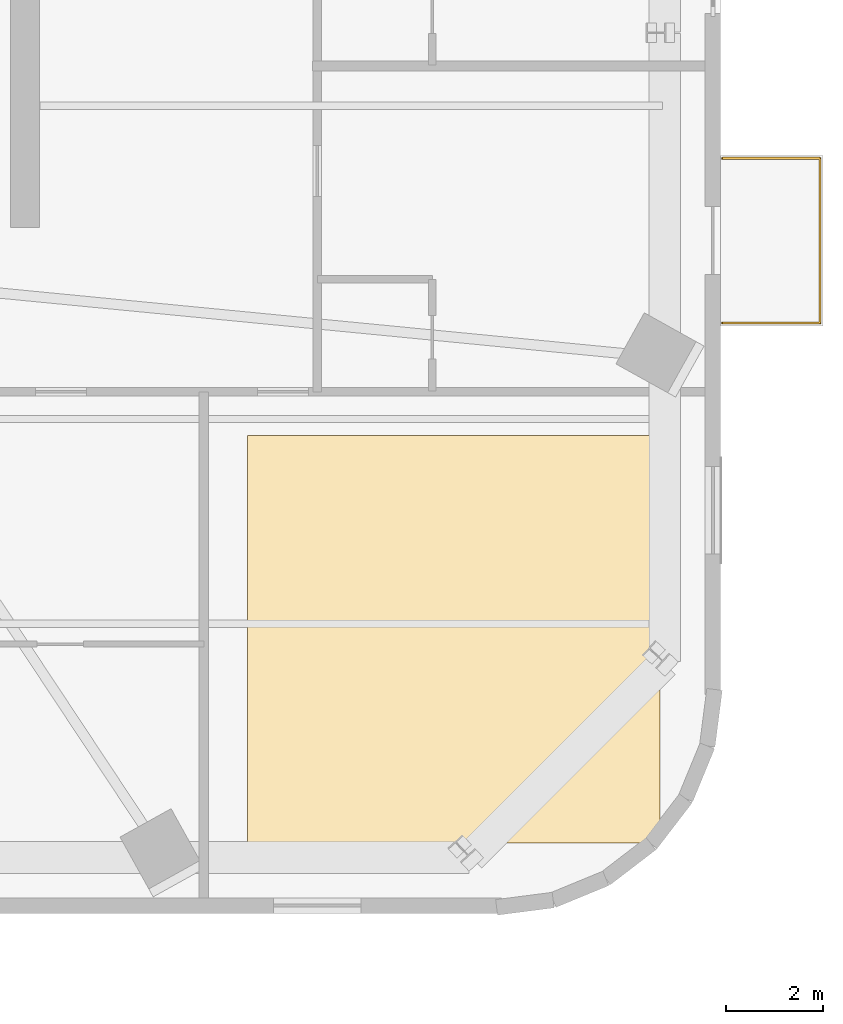
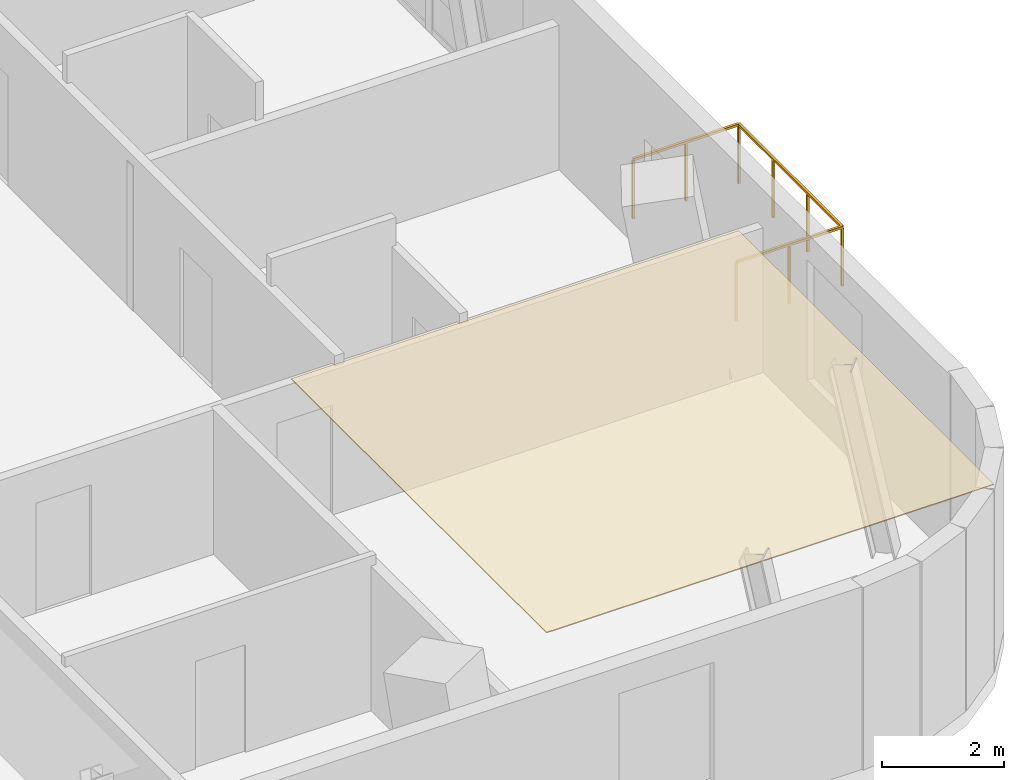
# One storey, part 13 of 14: 1 covering, 1 railing.
"""IFC4 building model written with IfcOpenShell, lengths in metres."""

from ifc_helpers import new_model, si_unit, direction, frame, origin, origin_2d, place, context, subcontext, project, spatial, polyline, rectangle, outline, extrude, source, transform, mapped, material, layer, layer_set, type_object, element, save


model = new_model("IFC4")

# Units and contexts
model_context = context("Model", 3, precision=1e-05, world=origin(), true_north=direction((0.0, 1.0)))
body_context = subcontext(model_context, "Body", "Model", "MODEL_VIEW")
ifc_project = project(units=[si_unit("LENGTHUNIT", "METRE"), si_unit("AREAUNIT", "SQUARE_METRE"), si_unit("VOLUMEUNIT", "CUBIC_METRE"), si_unit("PLANEANGLEUNIT", "RADIAN"), si_unit("MASSUNIT", "GRAM", prefix="KILO")], contexts=[model_context])

# Site, building, storey
site_placement = place(None, origin())
site = spatial("IfcSite", under=ifc_project, at=site_placement, CompositionType="ELEMENT")
building_placement = place(site_placement, origin())
building = spatial("IfcBuilding", under=site, at=building_placement, Name="Vardaveli Station Tower", CompositionType="ELEMENT")
storey_placement = place(building_placement, frame((0.0, 0.0, 266.39990234375)))
storey = spatial("IfcBuildingStorey", under=building, at=storey_placement, Name="L68", CompositionType="ELEMENT", Elevation=266.39990234375)

# Covering
ifc_material_1 = material(Name="Perforated acoustic mineral ceiling")
ifc_layer = layer(ifc_material_1, 0.02001953125, Name="Perforated acoustic mineral ceiling")
ifc_layer_set = layer_set([ifc_layer], Name="Perforated acoustic mineral ceiling")
covering_type = type_object("IfcCoveringType", Name="COV-CEIL-AC20", PredefinedType="CEILING", material=ifc_layer_set)
covering_placement = place(storey_placement, frame((0.0, 0.0, 3.635009765625)))
element("IfcCovering", 1, at=covering_placement, inside=storey, type_object=covering_type, Name="CEIL-L68-7", PredefinedType="CEILING", context=body_context, shape_type="SweptSolid", body=[
    extrude(outline(polyline([(51.070068359375, 4.8701171875), (59.530029296875, 4.8701171875), (59.530029296875, 13.22998046875), (51.070068359375, 13.22998046875), (51.070068359375, 4.8701171875)])), origin(), (0.0, 0.0, 1.0), 0.02001953125),
])

# Railing
ifc_material_2 = material(Name="Laminated glass and stainless steel balustrade", Category="steel")
railing_type = type_object("IfcRailingType", Name="RL-BAL-1200", PredefinedType="BALUSTRADE", material=ifc_material_2)
shared_shape = source(origin(), body_context, "Body", "SweptSolid", [
    extrude(rectangle(XDim=0.048095703125, YDim=0.048095703125, at=origin_2d()), frame((0.0, 0.0, 1.17578125), z_axis=(1.0, 0.0, 0.0), x_axis=(0.0, 1.0, 0.0)), (0.0, 0.0, 1.0), 2.0),
    extrude(rectangle(XDim=0.048095703125, YDim=0.048095703125, at=origin_2d()), frame((2.0, 0.0, 1.17578125), z_axis=(0.0, 1.0, 0.0), x_axis=(-1.0, 0.0, 0.0)), (0.0, 0.0, 1.0), 3.380126953125),
    extrude(rectangle(XDim=0.048095703125, YDim=0.048095703125, at=origin_2d()), frame((2.0, 3.380126953125, 1.17578125), z_axis=(-1.0, 0.0, 0.0), x_axis=(0.0, -1.0, 0.0)), (0.0, 0.0, 1.0), 2.0),
    extrude(rectangle(XDim=0.0419921875, YDim=0.0419921875, at=origin_2d()), origin(), (0.0, 0.0, 1.0), 1.15185546875),
    extrude(rectangle(XDim=0.0419921875, YDim=0.0419921875, at=origin_2d()), frame((1.0, 0.0, 0.0)), (0.0, 0.0, 1.0), 1.15185546875),
    extrude(rectangle(XDim=0.0419921875, YDim=0.0419921875, at=origin_2d()), frame((2.0, 0.0, 0.0)), (0.0, 0.0, 1.0), 1.15185546875),
    extrude(rectangle(XDim=0.0419921875, YDim=0.0419921875, at=origin_2d()), frame((2.0, 1.126708984375, 0.0)), (0.0, 0.0, 1.0), 1.15185546875),
    extrude(rectangle(XDim=0.0419921875, YDim=0.0419921875, at=origin_2d()), frame((2.0, 2.25341796875, 0.0)), (0.0, 0.0, 1.0), 1.15185546875),
    extrude(rectangle(XDim=0.0419921875, YDim=0.0419921875, at=origin_2d()), frame((2.0, 3.380126953125, 0.0)), (0.0, 0.0, 1.0), 1.15185546875),
    extrude(rectangle(XDim=0.0419921875, YDim=0.0419921875, at=origin_2d()), frame((1.0, 3.380126953125, 0.0)), (0.0, 0.0, 1.0), 1.15185546875),
    extrude(rectangle(XDim=0.0419921875, YDim=0.0419921875, at=origin_2d()), frame((0.0, 3.380126953125, 0.0)), (0.0, 0.0, 1.0), 1.15185546875),
])
railing_placement = place(storey_placement, frame((60.820068359375, 15.54248046875, 0.0)))
element("IfcRailing", 2, at=railing_placement, inside=storey, type_object=railing_type, Name="RL-LOG-L68-04", PredefinedType="BALUSTRADE", context=body_context, shape_type="MappedRepresentation", body=[
    mapped(shared_shape, transform((0.0, 0.0, 0.0), scale=1.0)),
])

save(model, "model.ifc")
